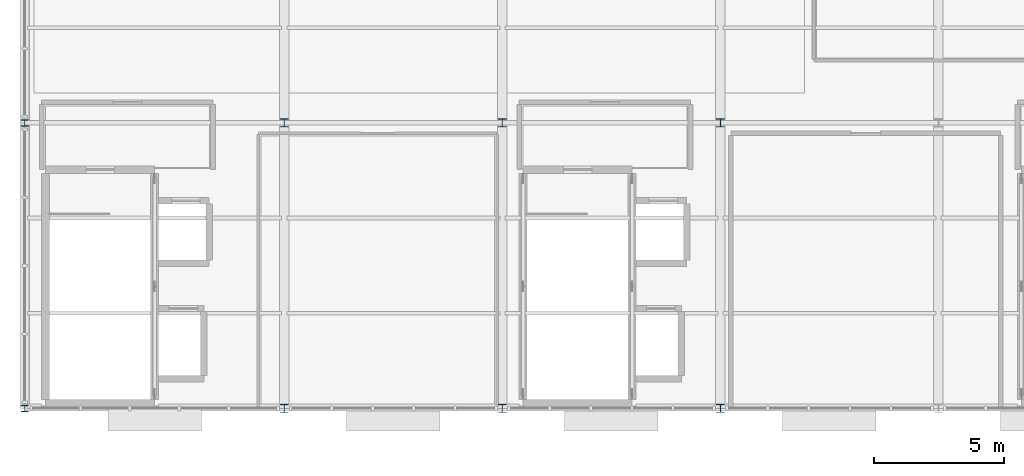
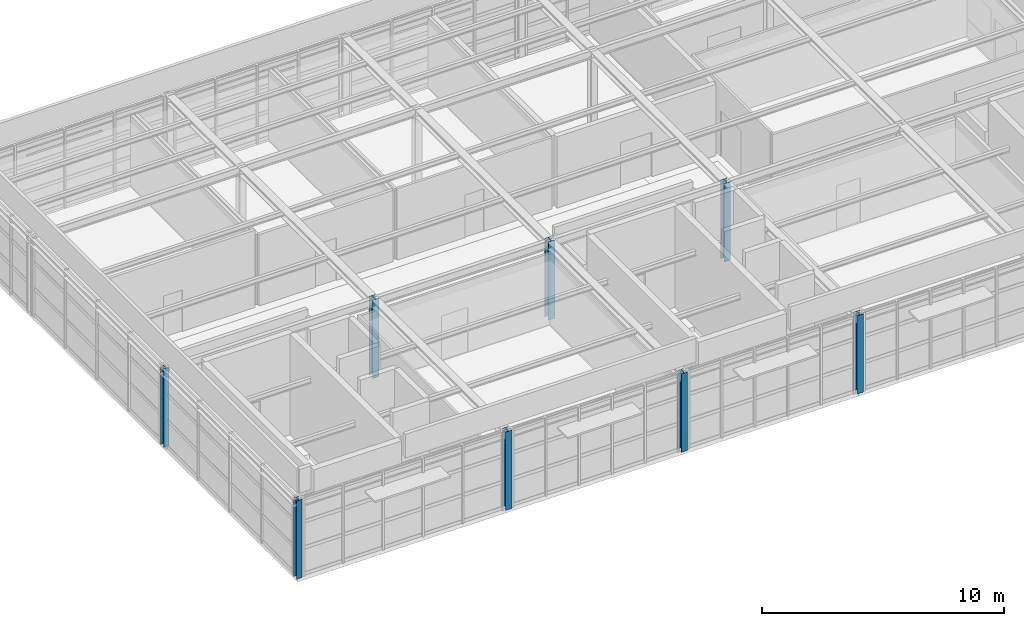
# One storey, part 1 of 18: 8 columns.
"""IFC4 building model written with IfcOpenShell, lengths in metres."""

import ifcopenshell
import ifcopenshell.guid

model = None  # the IFC model being written
_history = None  # IfcOwnerHistory: only IFC2X3 demands one
_inside = {}  # id of a spatial element -> (the spatial element, [elements in it])
_under = {}  # id of a project, library or spatial element -> (it, [spatial elements below it])
_declared = {}  # id of a project -> (the project, [libraries it declares])
_typed = {}  # id of a type object -> (the type object, [elements of that type])
_made_of = {}  # id of a material, layer set ... -> (it, [elements and type objects made of it])


def new_model(schema):
    """Start an empty IFC model of exactly this schema.

    Asked for "IFC4X3", IfcOpenShell would pick the latest addendum, in which some entities
    have other attributes; the version numbers below select the first issue.
    IFC2X3 requires an IfcOwnerHistory on every rooted entity: one is made here for all.
    """
    global model, _history
    if schema == "IFC4X3":
        model = ifcopenshell.file(schema_version=(4, 3, 0, 0))
    else:
        model = ifcopenshell.file(schema=schema)
    _inside.clear()
    _under.clear()
    _declared.clear()
    _typed.clear()
    _made_of.clear()
    _history = None
    if model.schema == "IFC2X3":
        org = make("IfcOrganization", Name="unknown")
        user = make(
            "IfcPersonAndOrganization",
            ThePerson=make("IfcPerson", FamilyName="unknown"),
            TheOrganization=org,
        )
        app = make(
            "IfcApplication",
            ApplicationDeveloper=org,
            Version="unknown",
            ApplicationFullName="unknown",
            ApplicationIdentifier="unknown",
        )
        _history = make(
            "IfcOwnerHistory",
            OwningUser=user,
            OwningApplication=app,
            ChangeAction="ADDED",
            CreationDate=0,
        )
    return model


def make(cls, **values):
    """One entity of the class cls with the attributes given. An attribute that is None is left unset."""
    return model.create_entity(
        cls, **{name: value for name, value in values.items() if value is not None}
    )


def rooted(cls, **values):
    """An entity with a GlobalId (a new one), such as an element, a storey or a relation."""
    return make(cls, GlobalId=ifcopenshell.guid.new(), OwnerHistory=_history, **values)


def si_unit(unit_type, name, prefix=None):
    """IfcSIUnit, for example si_unit("LENGTHUNIT", "METRE", prefix="MILLI")."""
    return make("IfcSIUnit", UnitType=unit_type, Prefix=prefix, Name=name)


def assignment(units):
    """IfcUnitAssignment: the units of a project."""
    return None if units is None else make("IfcUnitAssignment", Units=units)


def point(xyz):
    """IfcCartesianPoint."""
    return None if xyz is None else make("IfcCartesianPoint", Coordinates=xyz)


def direction(xyz):
    """IfcDirection."""
    return None if xyz is None else make("IfcDirection", DirectionRatios=xyz)


def frame(location, z_axis=None, x_axis=None):
    """IfcAxis2Placement3D, a coordinate frame: its origin and axes. An axis left out is left unset."""
    return make(
        "IfcAxis2Placement3D",
        Location=point(location),
        Axis=direction(z_axis),
        RefDirection=direction(x_axis),
    )


def frame_2d(location, x_axis=None):
    """IfcAxis2Placement2D, a coordinate frame in the plane: its origin and x axis."""
    return make(
        "IfcAxis2Placement2D", Location=point(location), RefDirection=direction(x_axis)
    )


def origin():
    """The frame at (0, 0, 0) with its axes left unset."""
    return frame((0.0, 0.0, 0.0))


def origin_2d():
    """The frame at (0, 0) in the plane with its x axis left unset."""
    return frame_2d((0.0, 0.0))


def place(relative_to, where):
    """IfcLocalPlacement: puts the frame where relative to a parent placement (None: the world)."""
    return make(
        "IfcLocalPlacement", PlacementRelTo=relative_to, RelativePlacement=where
    )


def context(
    kind, dimensions, precision=None, world=None, true_north=None, identifier=None
):
    """IfcGeometricRepresentationContext, for example the 3D "Model" context."""
    return make(
        "IfcGeometricRepresentationContext",
        ContextIdentifier=identifier,
        ContextType=kind,
        CoordinateSpaceDimension=dimensions,
        Precision=precision,
        WorldCoordinateSystem=world,
        TrueNorth=true_north,
    )


def subcontext(parent, identifier, kind, view, scale=None):
    """IfcGeometricRepresentationSubContext, for example "Body" below "Model"."""
    return make(
        "IfcGeometricRepresentationSubContext",
        ContextIdentifier=identifier,
        ContextType=kind,
        ParentContext=parent,
        TargetScale=scale,
        TargetView=view,
    )


def project(units=None, contexts=None):
    """IfcProject with its units and contexts."""
    return rooted(
        "IfcProject",
        Name="project",
        RepresentationContexts=contexts,
        UnitsInContext=assignment(units),
    )


def spatial(cls, under=None, at=None, **own):
    """A site, building, storey or space (cls), placed at a placement, below another one or the project."""
    s = rooted(cls, ObjectPlacement=at, **own)
    if under is not None:
        _under.setdefault(under.id(), (under, []))[1].append(s)
    return s


def profile(cls, at=None, kind="AREA", **sizes):
    """A parametric profile (cls). Its sizes go by their IFC names, for example OverallWidth=200.0."""
    return make(cls, ProfileType=kind, Position=at, **sizes)


def i_section(**sizes):
    """IfcIShapeProfileDef."""
    return profile("IfcIShapeProfileDef", **sizes)


def extrude(swept, where, along, depth):
    """IfcExtrudedAreaSolid: the profile swept, set in the frame where, extruded along a direction by depth."""
    return make(
        "IfcExtrudedAreaSolid",
        SweptArea=swept,
        Position=where,
        ExtrudedDirection=direction(along),
        Depth=depth,
    )


def shape(context_of_items, identifier, shape_type, items):
    """IfcShapeRepresentation: the items that make up one representation, for example the "Body"."""
    return make(
        "IfcShapeRepresentation",
        ContextOfItems=context_of_items,
        RepresentationIdentifier=identifier,
        RepresentationType=shape_type,
        Items=items,
    )


def material(Name=None, Category=None):
    """IfcMaterial."""
    return make("IfcMaterial", Name=Name, Category=Category)


def material_profile(
    of_material, cross_section, Name=None, Category=None, Priority=None
):
    """IfcMaterialProfile: a cross section and its material."""
    return make(
        "IfcMaterialProfile",
        Name=Name,
        Material=of_material,
        Profile=cross_section,
        Priority=Priority,
        Category=Category,
    )


def profile_set(profiles, Name=None, composite=None):
    """IfcMaterialProfileSet."""
    return make(
        "IfcMaterialProfileSet",
        Name=Name,
        MaterialProfiles=profiles,
        CompositeProfile=composite,
    )


def made_of(thing, what):
    """Note that an element or type object is made of a material, layer set ...; save() writes the relation."""
    if what is not None:
        _made_of.setdefault(what.id(), (what, []))[1].append(thing)
    return thing


def type_object(cls, material=None, **own):
    """A type object (cls), such as IfcWallType, which elements share."""
    return made_of(rooted(cls, **own), material)


def element(
    cls,
    number,
    at=None,
    inside=None,
    cuts=None,
    type_object=None,
    material=None,
    context=None,
    identifier="Body",
    shape_type=None,
    held_by="IfcProductDefinitionShape",
    body=None,
    shapes=None,
    **own,
):
    """One element of the class cls, such as IfcWall. Its Tag is "e" and its number.

    at: its placement. inside: the storey or other place that contains it. cuts: it is an
    opening in that element (IfcRelVoidsElement). A single representation is given by context,
    identifier, shape_type and body (its items); several are given by shapes. held_by: the class
    of the entity that holds the representations. save() writes the other relations.
    """
    e = rooted(cls, Tag="e%d" % number, ObjectPlacement=at, **own)
    if body is not None:
        shapes = [shape(context, identifier, shape_type, body)]
    if shapes is not None:
        e.Representation = make(held_by, Representations=shapes)
    if inside is not None:
        _inside.setdefault(inside.id(), (inside, []))[1].append(e)
    if cuts is not None:
        rooted(
            "IfcRelVoidsElement", RelatingBuildingElement=cuts, RelatedOpeningElement=e
        )
    if type_object is not None:
        _typed.setdefault(type_object.id(), (type_object, []))[1].append(e)
    return made_of(e, material)


def aggregate(whole, parts):
    """IfcRelAggregates: a whole, such as a stair, and the parts it consists of."""
    return rooted("IfcRelAggregates", RelatingObject=whole, RelatedObjects=parts)


def save(model, path):
    """Write the relations noted so far, then the file.

    IfcRelAggregates (storeys below a building ...), IfcRelContainedInSpatialStructure (elements
    in a storey), IfcRelDefinesByType, IfcRelAssociatesMaterial and IfcRelDeclares: one each for
    every whole, place, type object, material and project.
    """
    for whole, parts in _under.values():
        aggregate(whole, parts)
    for where, things in _inside.values():
        rooted(
            "IfcRelContainedInSpatialStructure",
            RelatedElements=things,
            RelatingStructure=where,
        )
    for kind, things in _typed.values():
        rooted("IfcRelDefinesByType", RelatedObjects=things, RelatingType=kind)
    for what, things in _made_of.values():
        rooted("IfcRelAssociatesMaterial", RelatedObjects=things, RelatingMaterial=what)
    for by, libraries in _declared.values():
        rooted("IfcRelDeclares", RelatingContext=by, RelatedDefinitions=libraries)
    model.write(path)


model = new_model("IFC4")

# Units and contexts
model_context = context("Model", 3, precision=1e-05, world=origin(), true_north=direction((0.0, 1.0)))
body_context = subcontext(model_context, "Body", "Model", "MODEL_VIEW")
ifc_project = project(units=[si_unit("LENGTHUNIT", "METRE"), si_unit("AREAUNIT", "SQUARE_METRE"), si_unit("VOLUMEUNIT", "CUBIC_METRE"), si_unit("PLANEANGLEUNIT", "RADIAN"), si_unit("MASSUNIT", "GRAM", prefix="KILO")], contexts=[model_context])

# Site, building, storey
site_placement = place(None, origin())
site = spatial("IfcSite", under=ifc_project, at=site_placement, CompositionType="ELEMENT")
building_placement = place(site_placement, origin())
building = spatial("IfcBuilding", under=site, at=building_placement, Name="Sitalva Quay Ferry Terminal", CompositionType="ELEMENT")
storey_placement = place(building_placement, frame((0.0, 0.0, 18.60009765625)))
storey = spatial("IfcBuildingStorey", under=building, at=storey_placement, Name="L05", CompositionType="ELEMENT", Elevation=18.60009765625)

# Columns
ifc_material_1 = material(Name="Structural Steel S355JR", Category="steel")
ifc_material_profile_1 = material_profile(ifc_material_1, i_section(OverallWidth=0.25390625, OverallDepth=0.2529296875, WebThickness=0.008544921875, FlangeThickness=0.01416015625, FilletRadius=0.011962890625, at=origin_2d()), Name="W250x73")
ifc_profile_set_1 = profile_set([ifc_material_profile_1], Name="Structural Steel S355JR")
column_type_1 = type_object("IfcColumnType", Name="Col_W250x73", PredefinedType="COLUMN", material=ifc_profile_set_1)
for number, where, z_axis, x_axis, name in (
    (1, (74.0, 78.0, 0.0), (0.0, 0.0, 1.0), (1.0, 0.0, 0.0), "L05 column 10J"),
    (2, (74.0, 89.0, 0.0), (0.0, 0.0, 1.0), (1.0, 0.0, 0.0), "L05 column 10K"),
):
    element("IfcColumn", number, at=place(storey_placement, frame(where, z_axis=z_axis, x_axis=x_axis)), inside=storey, type_object=column_type_1, Name=name, PredefinedType="COLUMN", context=body_context, shape_type="SweptSolid", body=[
        extrude(i_section(OverallWidth=0.25390625, OverallDepth=0.2529296875, WebThickness=0.008544921875, FlangeThickness=0.01416015625, FilletRadius=0.011962890625, at=origin_2d()), origin(), (0.0, 0.0, 1.0), 3.9599609375),
    ])
ifc_material_2 = material(Name="Structural Steel S355JR", Category="steel")
ifc_material_profile_2 = material_profile(ifc_material_2, i_section(OverallWidth=0.305908203125, OverallDepth=0.31103515625, WebThickness=0.010986328125, FlangeThickness=0.01708984375, FilletRadius=0.014892578125, at=origin_2d()), Name="W310x107")
ifc_profile_set_2 = profile_set([ifc_material_profile_2], Name="Structural Steel S355JR")
column_type_2 = type_object("IfcColumnType", Name="Col_W310x107", PredefinedType="COLUMN", material=ifc_profile_set_2)
for number, where, z_axis, x_axis, name in (
    (3, (84.0, 78.0, 0.0), (0.0, 0.0, 1.0), (1.0, 0.0, 0.0), "L05 column 11J"),
    (4, (92.39990234375, 78.0, 0.0), (0.0, 0.0, 1.0), (1.0, 0.0, 0.0), "L05 column 12J"),
    (5, (100.800048828125, 78.0, 0.0), (0.0, 0.0, 1.0), (1.0, 0.0, 0.0), "L05 column 13J"),
    (6, (84.0, 89.0, 0.0), (0.0, 0.0, 1.0), (1.0, 0.0, 0.0), "L05 column 11K"),
    (7, (92.39990234375, 89.0, 0.0), (0.0, 0.0, 1.0), (1.0, 0.0, 0.0), "L05 column 12K"),
    (8, (100.800048828125, 89.0, 0.0), (0.0, 0.0, 1.0), (1.0, 0.0, 0.0), "L05 column 13K"),
):
    element("IfcColumn", number, at=place(storey_placement, frame(where, z_axis=z_axis, x_axis=x_axis)), inside=storey, type_object=column_type_2, Name=name, PredefinedType="COLUMN", context=body_context, shape_type="SweptSolid", body=[
        extrude(i_section(OverallWidth=0.305908203125, OverallDepth=0.31103515625, WebThickness=0.010986328125, FlangeThickness=0.01708984375, FilletRadius=0.014892578125, at=origin_2d()), origin(), (0.0, 0.0, 1.0), 3.9599609375),
    ])

save(model, "model.ifc")
